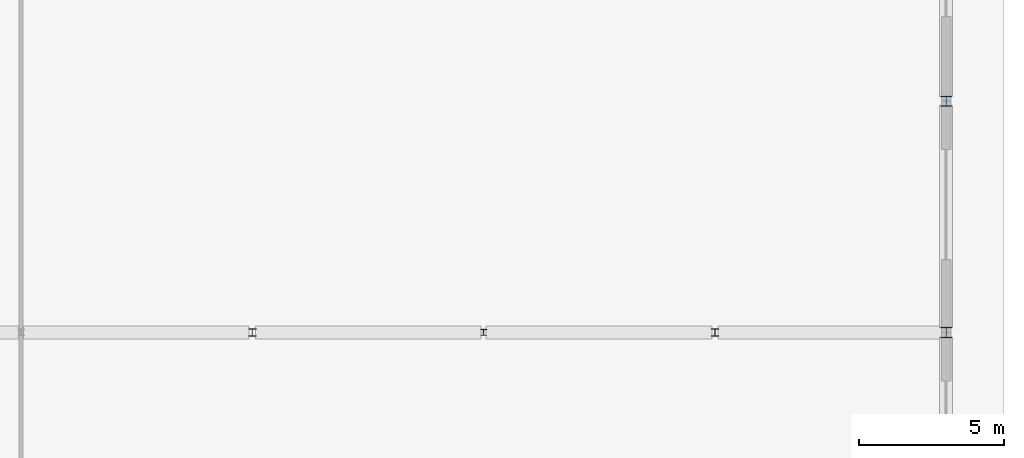
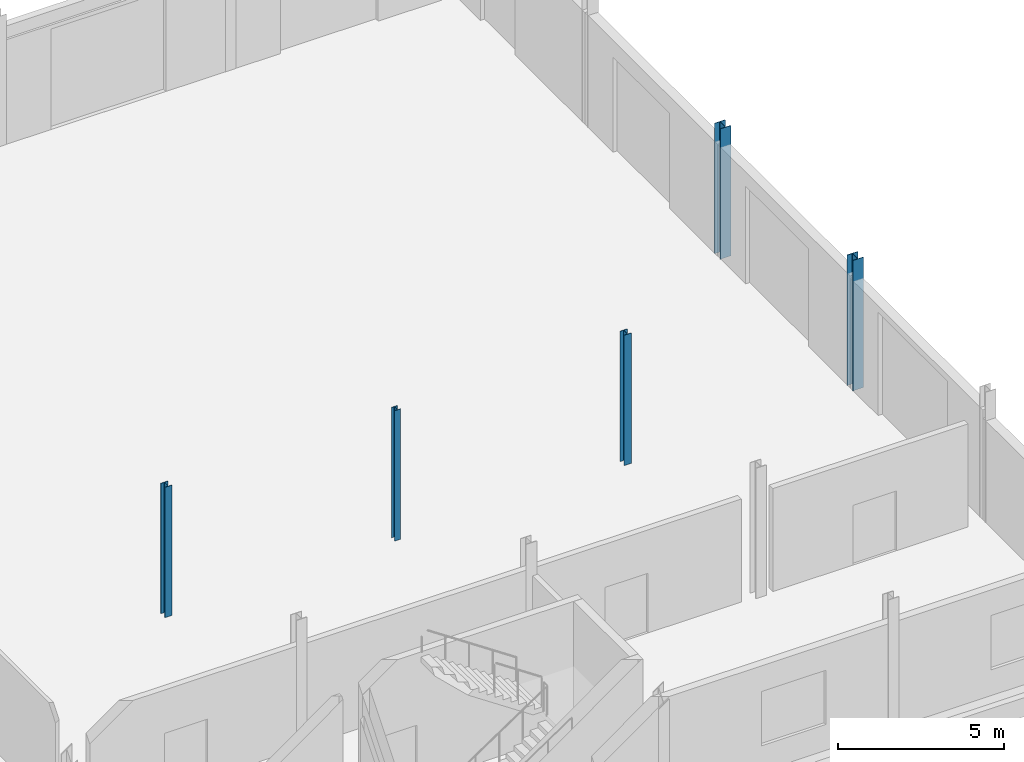
# One storey, part 20 of 117: 5 columns.
"""IFC4 building model written with IfcOpenShell, lengths in metres."""

from ifc_helpers import new_model, si_unit, direction, frame, origin, origin_2d, place, context, subcontext, project, spatial, i_section, extrude, material, material_profile, profile_set, type_object, element, save


model = new_model("IFC4")

# Units and contexts
model_context = context("Model", 3, precision=1e-05, world=origin(), true_north=direction((0.0, 1.0)))
body_context = subcontext(model_context, "Body", "Model", "MODEL_VIEW")
ifc_project = project(units=[si_unit("LENGTHUNIT", "METRE"), si_unit("AREAUNIT", "SQUARE_METRE"), si_unit("VOLUMEUNIT", "CUBIC_METRE"), si_unit("PLANEANGLEUNIT", "RADIAN"), si_unit("MASSUNIT", "GRAM", prefix="KILO")], contexts=[model_context])

# Site, building, storey
site_placement = place(None, origin())
site = spatial("IfcSite", under=ifc_project, at=site_placement, CompositionType="ELEMENT")
building_placement = place(site_placement, origin())
building = spatial("IfcBuilding", under=site, at=building_placement, Name="Jelvoka-Kovrelna Polytechnic", CompositionType="ELEMENT")
storey_placement = place(building_placement, origin())
storey = spatial("IfcBuildingStorey", under=building, at=storey_placement, Name="L01", CompositionType="ELEMENT", Elevation=0.0)

# Columns
ifc_material_1 = material(Name="Structural steel S355JR", Category="steel")
ifc_material_profile_1 = material_profile(ifc_material_1, i_section(OverallWidth=0.205810546875, OverallDepth=0.209716796875, WebThickness=0.009521484375, FlangeThickness=0.01416015625, FilletRadius=0.01025390625, at=origin_2d()), Name="203x203x60 UC")
ifc_profile_set_1 = profile_set([ifc_material_profile_1], Name="Structural steel S355JR")
column_type_1 = type_object("IfcColumnType", Name="Col_Steel_UC203", PredefinedType="COLUMN", material=ifc_profile_set_1)
column_placement = place(storey_placement, frame((184.0, 96.0, 0.0), z_axis=(0.0, 0.0, 1.0), x_axis=(1.0, 0.0, 0.0)))
element("IfcColumn", 1, at=column_placement, inside=storey, type_object=column_type_1, Name="L01 column 1602", PredefinedType="COLUMN", context=body_context, shape_type="SweptSolid", body=[
    extrude(i_section(OverallWidth=0.205810546875, OverallDepth=0.209716796875, WebThickness=0.009521484375, FlangeThickness=0.01416015625, FilletRadius=0.01025390625, at=origin_2d()), origin(), (0.0, 0.0, 1.0), 4.800048828125),
])
ifc_material_2 = material(Name="Structural steel S355JR", Category="steel")
ifc_material_profile_2 = material_profile(ifc_material_2, i_section(OverallWidth=0.254638671875, OverallDepth=0.254150390625, WebThickness=0.008544921875, FlangeThickness=0.01416015625, FilletRadius=0.0126953125, at=origin_2d()), Name="254x254x73 UC")
ifc_profile_set_2 = profile_set([ifc_material_profile_2], Name="Structural steel S355JR")
column_type_2 = type_object("IfcColumnType", Name="Col_Steel_UC254", PredefinedType="COLUMN", material=ifc_profile_set_2)
for number, where, z_axis, x_axis, name in (
    (2, (176.0, 96.0, 0.0), (0.0, 0.0, 1.0), (1.0, 0.0, 0.0), "L01 column 1600"),
    (3, (192.0, 96.0, 0.0), (0.0, 0.0, 1.0), (1.0, 0.0, 0.0), "L01 column 1604"),
):
    element("IfcColumn", number, at=place(storey_placement, frame(where, z_axis=z_axis, x_axis=x_axis)), inside=storey, type_object=column_type_2, Name=name, PredefinedType="COLUMN", context=body_context, shape_type="SweptSolid", body=[
        extrude(i_section(OverallWidth=0.254638671875, OverallDepth=0.254150390625, WebThickness=0.008544921875, FlangeThickness=0.01416015625, FilletRadius=0.0126953125, at=origin_2d()), origin(), (0.0, 0.0, 1.0), 4.800048828125),
    ])
ifc_material_3 = material(Name="Structural steel S355JR", Category="steel")
ifc_material_profile_3 = material_profile(ifc_material_3, i_section(OverallWidth=0.36865234375, OverallDepth=0.355712890625, WebThickness=0.010498046875, FlangeThickness=0.017578125, FilletRadius=0.01513671875, at=origin_2d()), Name="356x368x129 UC")
ifc_profile_set_3 = profile_set([ifc_material_profile_3], Name="Structural steel S355JR")
column_type_3 = type_object("IfcColumnType", Name="Col_Steel_UC356", PredefinedType="COLUMN", material=ifc_profile_set_3)
for number, where, z_axis, x_axis, name in (
    (4, (200.0, 96.0, 0.0), (0.0, 0.0, 1.0), (1.0, 0.0, 0.0), "L01 column 1606"),
    (5, (200.0, 104.0, 0.0), (0.0, 0.0, 1.0), (1.0, 0.0, 0.0), "L01 column 1612"),
):
    element("IfcColumn", number, at=place(storey_placement, frame(where, z_axis=z_axis, x_axis=x_axis)), inside=storey, type_object=column_type_3, Name=name, PredefinedType="COLUMN", context=body_context, shape_type="SweptSolid", body=[
        extrude(i_section(OverallWidth=0.36865234375, OverallDepth=0.355712890625, WebThickness=0.010498046875, FlangeThickness=0.017578125, FilletRadius=0.01513671875, at=origin_2d()), origin(), (0.0, 0.0, 1.0), 4.800048828125),
    ])

save(model, "model.ifc")
